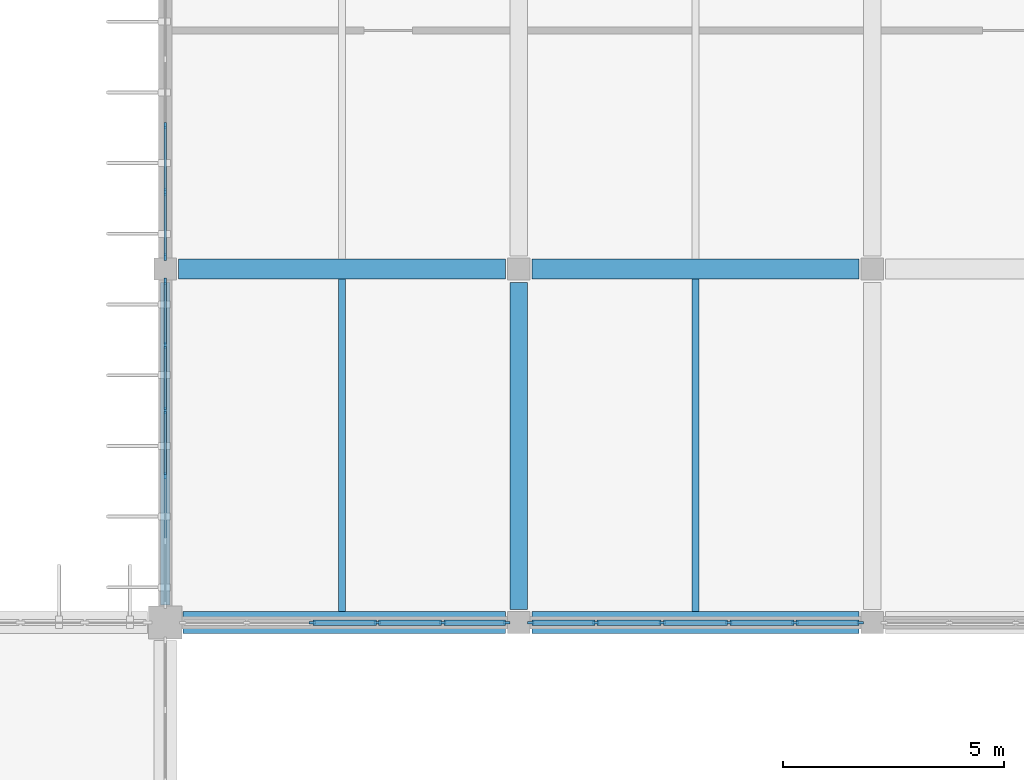
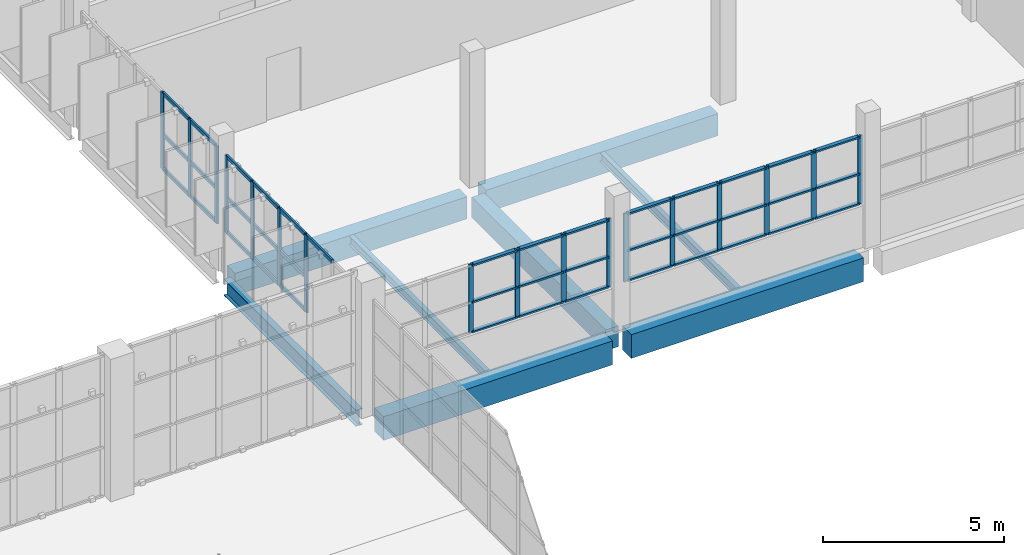
# One storey, part 32 of 93: 57 members, 8 beams, 4 elements without a shape of their own.
"""IFC4 building model written with IfcOpenShell, lengths in metres."""

from ifc_helpers import new_model, si_unit, direction, frame, origin, origin_2d, place, context, subcontext, project, spatial, rectangle, i_section, extrude, material, layer, layer_set, material_profile, profile_set, type_object, element, aggregate, save


model = new_model("IFC4")

# Units and contexts
model_context = context("Model", 3, precision=1e-05, world=origin(), true_north=direction((0.0, 1.0)))
body_context = subcontext(model_context, "Body", "Model", "MODEL_VIEW")
ifc_project = project(units=[si_unit("LENGTHUNIT", "METRE"), si_unit("AREAUNIT", "SQUARE_METRE"), si_unit("VOLUMEUNIT", "CUBIC_METRE"), si_unit("PLANEANGLEUNIT", "RADIAN"), si_unit("MASSUNIT", "GRAM", prefix="KILO")], contexts=[model_context])

# Site, building, storey
site_placement = place(None, origin())
site = spatial("IfcSite", under=ifc_project, at=site_placement, CompositionType="ELEMENT")
building_placement = place(site_placement, origin())
building = spatial("IfcBuilding", under=site, at=building_placement, Name="Drelvana Railside Aquatics Centre", CompositionType="ELEMENT")
storey_placement = place(building_placement, frame((0.0, 0.0, 5.39990234375)))
storey = spatial("IfcBuildingStorey", under=building, at=storey_placement, Name="L01", CompositionType="ELEMENT", Elevation=5.39990234375)

# Curtain wall, members
ifc_material_1 = material(Name="Bronze-anodised aluminium curtain wall", Category="aluminium")
ifc_layer = layer(ifc_material_1, 0.1650390625, Name="Bronze-anodised aluminium curtain wall")
ifc_layer_set = layer_set([ifc_layer], Name="Bronze-anodised aluminium curtain wall")
curtain_wall_type = type_object("IfcCurtainWallType", Name="CW-Z5-COURT", PredefinedType="NOTDEFINED", material=ifc_layer_set)
curtain_wall_1_placement = place(storey_placement, origin())
curtain_wall_1 = element("IfcCurtainWall", 1, at=curtain_wall_1_placement, inside=storey, type_object=curtain_wall_type, Name="Curtain wall CW-05-116", PredefinedType="NOTDEFINED")
ifc_material_2 = material(Name="Bronze-anodised aluminium 6063-T6", Category="aluminium")
ifc_material_profile_1 = material_profile(ifc_material_2, rectangle(XDim=0.06005859375, YDim=0.14990234375, at=origin_2d()), Name="ALU-M 60x150")
ifc_profile_set_1 = profile_set([ifc_material_profile_1], Name="Bronze-anodised aluminium 6063-T6")
member_type_1 = type_object("IfcMemberType", Name="CW-Z5-COURT-MUL", PredefinedType="MULLION", material=ifc_profile_set_1)
member_1_placement = place(storey_placement, frame((99.32373046875, 84.0, 1.39404296875), z_axis=(0.0, 0.0, 1.0), x_axis=(0.0, 1.0, 0.0)))
member_1 = element("IfcMember", 2, at=member_1_placement, type_object=member_type_1, Name="CW-05 mullion 3", PredefinedType="MULLION", context=body_context, shape_type="SweptSolid", body=[
    extrude(rectangle(XDim=0.06005859375, YDim=0.14990234375, at=origin_2d()), origin(), (0.0, 0.0, 1.0), 2.30615234375),
])
member_2_placement = place(storey_placement, frame((100.80126953125, 84.0, 1.39404296875), z_axis=(0.0, 0.0, 1.0), x_axis=(0.0, 1.0, 0.0)))
member_2 = element("IfcMember", 3, at=member_2_placement, type_object=member_type_1, Name="CW-05 mullion 4", PredefinedType="MULLION", context=body_context, shape_type="SweptSolid", body=[
    extrude(rectangle(XDim=0.06005859375, YDim=0.14990234375, at=origin_2d()), origin(), (0.0, 0.0, 1.0), 2.30615234375),
])
member_3_placement = place(storey_placement, frame((102.278564453125, 84.0, 1.39404296875), z_axis=(0.0, 0.0, 1.0), x_axis=(0.0, 1.0, 0.0)))
member_3 = element("IfcMember", 4, at=member_3_placement, type_object=member_type_1, Name="CW-05 mullion 5", PredefinedType="MULLION", context=body_context, shape_type="SweptSolid", body=[
    extrude(rectangle(XDim=0.06005859375, YDim=0.14990234375, at=origin_2d()), origin(), (0.0, 0.0, 1.0), 2.30615234375),
])
member_4_placement = place(storey_placement, frame((103.72607421875, 84.0, 1.39404296875), z_axis=(0.0, 0.0, 1.0), x_axis=(0.0, 1.0, 0.0)))
member_4 = element("IfcMember", 5, at=member_4_placement, type_object=member_type_1, Name="CW-05 mullion 6", PredefinedType="MULLION", context=body_context, shape_type="SweptSolid", body=[
    extrude(rectangle(XDim=0.06005859375, YDim=0.14990234375, at=origin_2d()), origin(), (0.0, 0.0, 1.0), 2.30615234375),
])

curtain_wall_2_placement = place(storey_placement, origin())
curtain_wall_2 = element("IfcCurtainWall", 6, at=curtain_wall_2_placement, inside=storey, type_object=curtain_wall_type, Name="Curtain wall CW-05-118", PredefinedType="NOTDEFINED")
member_5_placement = place(storey_placement, frame((104.27392578125, 84.0, 1.39404296875), z_axis=(0.0, 0.0, 1.0), x_axis=(0.0, 1.0, 0.0)))
member_5 = element("IfcMember", 7, at=member_5_placement, type_object=member_type_1, Name="CW-05 mullion 1", PredefinedType="MULLION", context=body_context, shape_type="SweptSolid", body=[
    extrude(rectangle(XDim=0.06005859375, YDim=0.14990234375, at=origin_2d()), origin(), (0.0, 0.0, 1.0), 2.30615234375),
])
member_6_placement = place(storey_placement, frame((105.746337890625, 84.0, 1.39404296875), z_axis=(0.0, 0.0, 1.0), x_axis=(0.0, 1.0, 0.0)))
member_6 = element("IfcMember", 8, at=member_6_placement, type_object=member_type_1, Name="CW-05 mullion 2", PredefinedType="MULLION", context=body_context, shape_type="SweptSolid", body=[
    extrude(rectangle(XDim=0.06005859375, YDim=0.14990234375, at=origin_2d()), origin(), (0.0, 0.0, 1.0), 2.30615234375),
])
member_7_placement = place(storey_placement, frame((107.248779296875, 84.0, 1.39404296875), z_axis=(0.0, 0.0, 1.0), x_axis=(0.0, 1.0, 0.0)))
member_7 = element("IfcMember", 9, at=member_7_placement, type_object=member_type_1, Name="CW-05 mullion 3", PredefinedType="MULLION", context=body_context, shape_type="SweptSolid", body=[
    extrude(rectangle(XDim=0.06005859375, YDim=0.14990234375, at=origin_2d()), origin(), (0.0, 0.0, 1.0), 2.30615234375),
])
member_8_placement = place(storey_placement, frame((108.751220703125, 84.0, 1.39404296875), z_axis=(0.0, 0.0, 1.0), x_axis=(0.0, 1.0, 0.0)))
member_8 = element("IfcMember", 10, at=member_8_placement, type_object=member_type_1, Name="CW-05 mullion 4", PredefinedType="MULLION", context=body_context, shape_type="SweptSolid", body=[
    extrude(rectangle(XDim=0.06005859375, YDim=0.14990234375, at=origin_2d()), origin(), (0.0, 0.0, 1.0), 2.30615234375),
])
member_9_placement = place(storey_placement, frame((110.253662109375, 84.0, 1.39404296875), z_axis=(0.0, 0.0, 1.0), x_axis=(0.0, 1.0, 0.0)))
member_9 = element("IfcMember", 11, at=member_9_placement, type_object=member_type_1, Name="CW-05 mullion 5", PredefinedType="MULLION", context=body_context, shape_type="SweptSolid", body=[
    extrude(rectangle(XDim=0.06005859375, YDim=0.14990234375, at=origin_2d()), origin(), (0.0, 0.0, 1.0), 2.30615234375),
])
member_10_placement = place(storey_placement, frame((111.72607421875, 84.0, 1.39404296875), z_axis=(0.0, 0.0, 1.0), x_axis=(0.0, 1.0, 0.0)))
member_10 = element("IfcMember", 12, at=member_10_placement, type_object=member_type_1, Name="CW-05 mullion 6", PredefinedType="MULLION", context=body_context, shape_type="SweptSolid", body=[
    extrude(rectangle(XDim=0.06005859375, YDim=0.14990234375, at=origin_2d()), origin(), (0.0, 0.0, 1.0), 2.30615234375),
])

curtain_wall_3_placement = place(storey_placement, origin())
curtain_wall_3 = element("IfcCurtainWall", 13, at=curtain_wall_3_placement, inside=storey, type_object=curtain_wall_type, Name="Curtain wall CW-05-128", PredefinedType="NOTDEFINED")
member_11_placement = place(storey_placement, frame((96.0, 87.32373046875, 1.244140625), z_axis=(0.0, 0.0, 1.0), x_axis=(-1.0, 0.0, 0.0)))
member_11 = element("IfcMember", 14, at=member_11_placement, type_object=member_type_1, Name="CW-05 mullion 3", PredefinedType="MULLION", context=body_context, shape_type="SweptSolid", body=[
    extrude(rectangle(XDim=0.06005859375, YDim=0.14990234375, at=origin_2d()), origin(), (0.0, 0.0, 1.0), 2.60595703125),
])
member_12_placement = place(storey_placement, frame((96.0, 88.80126953125, 1.244140625), z_axis=(0.0, 0.0, 1.0), x_axis=(-1.0, 0.0, 0.0)))
member_12 = element("IfcMember", 15, at=member_12_placement, type_object=member_type_1, Name="CW-05 mullion 4", PredefinedType="MULLION", context=body_context, shape_type="SweptSolid", body=[
    extrude(rectangle(XDim=0.06005859375, YDim=0.14990234375, at=origin_2d()), origin(), (0.0, 0.0, 1.0), 2.60595703125),
])
member_13_placement = place(storey_placement, frame((96.0, 90.278564453125, 1.244140625), z_axis=(0.0, 0.0, 1.0), x_axis=(-1.0, 0.0, 0.0)))
member_13 = element("IfcMember", 16, at=member_13_placement, type_object=member_type_1, Name="CW-05 mullion 5", PredefinedType="MULLION", context=body_context, shape_type="SweptSolid", body=[
    extrude(rectangle(XDim=0.06005859375, YDim=0.14990234375, at=origin_2d()), origin(), (0.0, 0.0, 1.0), 2.60595703125),
])
member_14_placement = place(storey_placement, frame((96.0, 91.72607421875, 1.244140625), z_axis=(0.0, 0.0, 1.0), x_axis=(-1.0, 0.0, 0.0)))
member_14 = element("IfcMember", 17, at=member_14_placement, type_object=member_type_1, Name="CW-05 mullion 6", PredefinedType="MULLION", context=body_context, shape_type="SweptSolid", body=[
    extrude(rectangle(XDim=0.06005859375, YDim=0.14990234375, at=origin_2d()), origin(), (0.0, 0.0, 1.0), 2.60595703125),
])

curtain_wall_4_placement = place(storey_placement, origin())
curtain_wall_4 = element("IfcCurtainWall", 18, at=curtain_wall_4_placement, inside=storey, type_object=curtain_wall_type, Name="Curtain wall CW-05-130", PredefinedType="NOTDEFINED")
member_15_placement = place(storey_placement, frame((96.0, 92.27392578125, 1.244140625), z_axis=(0.0, 0.0, 1.0), x_axis=(-1.0, 0.0, 0.0)))
member_15 = element("IfcMember", 19, at=member_15_placement, type_object=member_type_1, Name="CW-05 mullion 1", PredefinedType="MULLION", context=body_context, shape_type="SweptSolid", body=[
    extrude(rectangle(XDim=0.06005859375, YDim=0.14990234375, at=origin_2d()), origin(), (0.0, 0.0, 1.0), 2.60595703125),
])
member_16_placement = place(storey_placement, frame((96.0, 93.746337890625, 1.244140625), z_axis=(0.0, 0.0, 1.0), x_axis=(-1.0, 0.0, 0.0)))
member_16 = element("IfcMember", 20, at=member_16_placement, type_object=member_type_1, Name="CW-05 mullion 2", PredefinedType="MULLION", context=body_context, shape_type="SweptSolid", body=[
    extrude(rectangle(XDim=0.06005859375, YDim=0.14990234375, at=origin_2d()), origin(), (0.0, 0.0, 1.0), 2.60595703125),
])
member_17_placement = place(storey_placement, frame((96.0, 95.248779296875, 1.244140625), z_axis=(0.0, 0.0, 1.0), x_axis=(-1.0, 0.0, 0.0)))
member_17 = element("IfcMember", 21, at=member_17_placement, type_object=member_type_1, Name="CW-05 mullion 3", PredefinedType="MULLION", context=body_context, shape_type="SweptSolid", body=[
    extrude(rectangle(XDim=0.06005859375, YDim=0.14990234375, at=origin_2d()), origin(), (0.0, 0.0, 1.0), 2.60595703125),
])

# Member
ifc_material_profile_2 = material_profile(ifc_material_2, rectangle(XDim=0.1201171875, YDim=0.06005859375, at=origin_2d()), Name="ALU-T 60x120")
ifc_profile_set_2 = profile_set([ifc_material_profile_2], Name="Bronze-anodised aluminium 6063-T6")
member_type_2 = type_object("IfcMemberType", Name="CW-Z5-COURT-TRN", PredefinedType="USERDEFINED", material=ifc_profile_set_2)
member_18_placement = place(storey_placement, frame((99.348876953125, 84.0, 1.424072265625), z_axis=(1.0, 0.0, 0.0), x_axis=(0.0, 1.0, 0.0)))
member_18 = element("IfcMember", 22, at=member_18_placement, type_object=member_type_2, Name="CW-05 transom 3.1", ObjectType="TRANSOM", PredefinedType="USERDEFINED", context=body_context, shape_type="SweptSolid", body=[
    extrude(rectangle(XDim=0.1201171875, YDim=0.06005859375, at=origin_2d()), origin(), (0.0, 0.0, 1.0), 1.42724609375),
])

member_19_placement = place(storey_placement, frame((99.348876953125, 84.0, 2.43212890625), z_axis=(1.0, 0.0, 0.0), x_axis=(0.0, 1.0, 0.0)))
member_19 = element("IfcMember", 23, at=member_19_placement, type_object=member_type_2, Name="CW-05 transom 3.2", ObjectType="TRANSOM", PredefinedType="USERDEFINED", context=body_context, shape_type="SweptSolid", body=[
    extrude(rectangle(XDim=0.1201171875, YDim=0.06005859375, at=origin_2d()), origin(), (0.0, 0.0, 1.0), 1.42724609375),
])

member_20_placement = place(storey_placement, frame((99.348876953125, 84.0, 3.670166015625), z_axis=(1.0, 0.0, 0.0), x_axis=(0.0, 1.0, 0.0)))
member_20 = element("IfcMember", 24, at=member_20_placement, type_object=member_type_2, Name="CW-05 transom 3.3", ObjectType="TRANSOM", PredefinedType="USERDEFINED", context=body_context, shape_type="SweptSolid", body=[
    extrude(rectangle(XDim=0.1201171875, YDim=0.06005859375, at=origin_2d()), origin(), (0.0, 0.0, 1.0), 1.42724609375),
])

member_21_placement = place(storey_placement, frame((100.826171875, 84.0, 1.424072265625), z_axis=(1.0, 0.0, 0.0), x_axis=(0.0, 1.0, 0.0)))
member_21 = element("IfcMember", 25, at=member_21_placement, type_object=member_type_2, Name="CW-05 transom 4.1", ObjectType="TRANSOM", PredefinedType="USERDEFINED", context=body_context, shape_type="SweptSolid", body=[
    extrude(rectangle(XDim=0.1201171875, YDim=0.06005859375, at=origin_2d()), origin(), (0.0, 0.0, 1.0), 1.427490234375),
])

member_22_placement = place(storey_placement, frame((100.826171875, 84.0, 2.43212890625), z_axis=(1.0, 0.0, 0.0), x_axis=(0.0, 1.0, 0.0)))
member_22 = element("IfcMember", 26, at=member_22_placement, type_object=member_type_2, Name="CW-05 transom 4.2", ObjectType="TRANSOM", PredefinedType="USERDEFINED", context=body_context, shape_type="SweptSolid", body=[
    extrude(rectangle(XDim=0.1201171875, YDim=0.06005859375, at=origin_2d()), origin(), (0.0, 0.0, 1.0), 1.427490234375),
])

member_23_placement = place(storey_placement, frame((100.826171875, 84.0, 3.670166015625), z_axis=(1.0, 0.0, 0.0), x_axis=(0.0, 1.0, 0.0)))
member_23 = element("IfcMember", 27, at=member_23_placement, type_object=member_type_2, Name="CW-05 transom 4.3", ObjectType="TRANSOM", PredefinedType="USERDEFINED", context=body_context, shape_type="SweptSolid", body=[
    extrude(rectangle(XDim=0.1201171875, YDim=0.06005859375, at=origin_2d()), origin(), (0.0, 0.0, 1.0), 1.427490234375),
])

member_24_placement = place(storey_placement, frame((102.3037109375, 84.0, 1.424072265625), z_axis=(1.0, 0.0, 0.0), x_axis=(0.0, 1.0, 0.0)))
member_24 = element("IfcMember", 28, at=member_24_placement, type_object=member_type_2, Name="CW-05 transom 5.1", ObjectType="TRANSOM", PredefinedType="USERDEFINED", context=body_context, shape_type="SweptSolid", body=[
    extrude(rectangle(XDim=0.1201171875, YDim=0.06005859375, at=origin_2d()), origin(), (0.0, 0.0, 1.0), 1.397216796875),
])

member_25_placement = place(storey_placement, frame((102.3037109375, 84.0, 2.43212890625), z_axis=(1.0, 0.0, 0.0), x_axis=(0.0, 1.0, 0.0)))
member_25 = element("IfcMember", 29, at=member_25_placement, type_object=member_type_2, Name="CW-05 transom 5.2", ObjectType="TRANSOM", PredefinedType="USERDEFINED", context=body_context, shape_type="SweptSolid", body=[
    extrude(rectangle(XDim=0.1201171875, YDim=0.06005859375, at=origin_2d()), origin(), (0.0, 0.0, 1.0), 1.397216796875),
])

member_26_placement = place(storey_placement, frame((102.3037109375, 84.0, 3.670166015625), z_axis=(1.0, 0.0, 0.0), x_axis=(0.0, 1.0, 0.0)))
member_26 = element("IfcMember", 30, at=member_26_placement, type_object=member_type_2, Name="CW-05 transom 5.3", ObjectType="TRANSOM", PredefinedType="USERDEFINED", context=body_context, shape_type="SweptSolid", body=[
    extrude(rectangle(XDim=0.1201171875, YDim=0.06005859375, at=origin_2d()), origin(), (0.0, 0.0, 1.0), 1.397216796875),
])

aggregate(curtain_wall_1, [member_1, member_2, member_3, member_4, member_18, member_19, member_20, member_21, member_22, member_23, member_24, member_25, member_26])

member_27_placement = place(storey_placement, frame((104.299072265625, 84.0, 1.424072265625), z_axis=(1.0, 0.0, 0.0), x_axis=(0.0, 1.0, 0.0)))
member_27 = element("IfcMember", 31, at=member_27_placement, type_object=member_type_2, Name="CW-05 transom 1.1", ObjectType="TRANSOM", PredefinedType="USERDEFINED", context=body_context, shape_type="SweptSolid", body=[
    extrude(rectangle(XDim=0.1201171875, YDim=0.06005859375, at=origin_2d()), origin(), (0.0, 0.0, 1.0), 1.42236328125),
])

member_28_placement = place(storey_placement, frame((104.299072265625, 84.0, 2.43212890625), z_axis=(1.0, 0.0, 0.0), x_axis=(0.0, 1.0, 0.0)))
member_28 = element("IfcMember", 32, at=member_28_placement, type_object=member_type_2, Name="CW-05 transom 1.2", ObjectType="TRANSOM", PredefinedType="USERDEFINED", context=body_context, shape_type="SweptSolid", body=[
    extrude(rectangle(XDim=0.1201171875, YDim=0.06005859375, at=origin_2d()), origin(), (0.0, 0.0, 1.0), 1.42236328125),
])

member_29_placement = place(storey_placement, frame((104.299072265625, 84.0, 3.670166015625), z_axis=(1.0, 0.0, 0.0), x_axis=(0.0, 1.0, 0.0)))
member_29 = element("IfcMember", 33, at=member_29_placement, type_object=member_type_2, Name="CW-05 transom 1.3", ObjectType="TRANSOM", PredefinedType="USERDEFINED", context=body_context, shape_type="SweptSolid", body=[
    extrude(rectangle(XDim=0.1201171875, YDim=0.06005859375, at=origin_2d()), origin(), (0.0, 0.0, 1.0), 1.42236328125),
])

member_30_placement = place(storey_placement, frame((105.771484375, 84.0, 1.424072265625), z_axis=(1.0, 0.0, 0.0), x_axis=(0.0, 1.0, 0.0)))
member_30 = element("IfcMember", 34, at=member_30_placement, type_object=member_type_2, Name="CW-05 transom 2.1", ObjectType="TRANSOM", PredefinedType="USERDEFINED", context=body_context, shape_type="SweptSolid", body=[
    extrude(rectangle(XDim=0.1201171875, YDim=0.06005859375, at=origin_2d()), origin(), (0.0, 0.0, 1.0), 1.452392578125),
])

member_31_placement = place(storey_placement, frame((105.771484375, 84.0, 2.43212890625), z_axis=(1.0, 0.0, 0.0), x_axis=(0.0, 1.0, 0.0)))
member_31 = element("IfcMember", 35, at=member_31_placement, type_object=member_type_2, Name="CW-05 transom 2.2", ObjectType="TRANSOM", PredefinedType="USERDEFINED", context=body_context, shape_type="SweptSolid", body=[
    extrude(rectangle(XDim=0.1201171875, YDim=0.06005859375, at=origin_2d()), origin(), (0.0, 0.0, 1.0), 1.452392578125),
])

member_32_placement = place(storey_placement, frame((105.771484375, 84.0, 3.670166015625), z_axis=(1.0, 0.0, 0.0), x_axis=(0.0, 1.0, 0.0)))
member_32 = element("IfcMember", 36, at=member_32_placement, type_object=member_type_2, Name="CW-05 transom 2.3", ObjectType="TRANSOM", PredefinedType="USERDEFINED", context=body_context, shape_type="SweptSolid", body=[
    extrude(rectangle(XDim=0.1201171875, YDim=0.06005859375, at=origin_2d()), origin(), (0.0, 0.0, 1.0), 1.452392578125),
])

member_33_placement = place(storey_placement, frame((107.273681640625, 84.0, 1.424072265625), z_axis=(1.0, 0.0, 0.0), x_axis=(0.0, 1.0, 0.0)))
member_33 = element("IfcMember", 37, at=member_33_placement, type_object=member_type_2, Name="CW-05 transom 3.1", ObjectType="TRANSOM", PredefinedType="USERDEFINED", context=body_context, shape_type="SweptSolid", body=[
    extrude(rectangle(XDim=0.1201171875, YDim=0.06005859375, at=origin_2d()), origin(), (0.0, 0.0, 1.0), 1.45263671875),
])

member_34_placement = place(storey_placement, frame((107.273681640625, 84.0, 2.43212890625), z_axis=(1.0, 0.0, 0.0), x_axis=(0.0, 1.0, 0.0)))
member_34 = element("IfcMember", 38, at=member_34_placement, type_object=member_type_2, Name="CW-05 transom 3.2", ObjectType="TRANSOM", PredefinedType="USERDEFINED", context=body_context, shape_type="SweptSolid", body=[
    extrude(rectangle(XDim=0.1201171875, YDim=0.06005859375, at=origin_2d()), origin(), (0.0, 0.0, 1.0), 1.45263671875),
])

member_35_placement = place(storey_placement, frame((107.273681640625, 84.0, 3.670166015625), z_axis=(1.0, 0.0, 0.0), x_axis=(0.0, 1.0, 0.0)))
member_35 = element("IfcMember", 39, at=member_35_placement, type_object=member_type_2, Name="CW-05 transom 3.3", ObjectType="TRANSOM", PredefinedType="USERDEFINED", context=body_context, shape_type="SweptSolid", body=[
    extrude(rectangle(XDim=0.1201171875, YDim=0.06005859375, at=origin_2d()), origin(), (0.0, 0.0, 1.0), 1.45263671875),
])

member_36_placement = place(storey_placement, frame((108.776123046875, 84.0, 1.424072265625), z_axis=(1.0, 0.0, 0.0), x_axis=(0.0, 1.0, 0.0)))
member_36 = element("IfcMember", 40, at=member_36_placement, type_object=member_type_2, Name="CW-05 transom 4.1", ObjectType="TRANSOM", PredefinedType="USERDEFINED", context=body_context, shape_type="SweptSolid", body=[
    extrude(rectangle(XDim=0.1201171875, YDim=0.06005859375, at=origin_2d()), origin(), (0.0, 0.0, 1.0), 1.452392578125),
])

member_37_placement = place(storey_placement, frame((108.776123046875, 84.0, 2.43212890625), z_axis=(1.0, 0.0, 0.0), x_axis=(0.0, 1.0, 0.0)))
member_37 = element("IfcMember", 41, at=member_37_placement, type_object=member_type_2, Name="CW-05 transom 4.2", ObjectType="TRANSOM", PredefinedType="USERDEFINED", context=body_context, shape_type="SweptSolid", body=[
    extrude(rectangle(XDim=0.1201171875, YDim=0.06005859375, at=origin_2d()), origin(), (0.0, 0.0, 1.0), 1.452392578125),
])

member_38_placement = place(storey_placement, frame((108.776123046875, 84.0, 3.670166015625), z_axis=(1.0, 0.0, 0.0), x_axis=(0.0, 1.0, 0.0)))
member_38 = element("IfcMember", 42, at=member_38_placement, type_object=member_type_2, Name="CW-05 transom 4.3", ObjectType="TRANSOM", PredefinedType="USERDEFINED", context=body_context, shape_type="SweptSolid", body=[
    extrude(rectangle(XDim=0.1201171875, YDim=0.06005859375, at=origin_2d()), origin(), (0.0, 0.0, 1.0), 1.452392578125),
])

member_39_placement = place(storey_placement, frame((110.278564453125, 84.0, 1.424072265625), z_axis=(1.0, 0.0, 0.0), x_axis=(0.0, 1.0, 0.0)))
member_39 = element("IfcMember", 43, at=member_39_placement, type_object=member_type_2, Name="CW-05 transom 5.1", ObjectType="TRANSOM", PredefinedType="USERDEFINED", context=body_context, shape_type="SweptSolid", body=[
    extrude(rectangle(XDim=0.1201171875, YDim=0.06005859375, at=origin_2d()), origin(), (0.0, 0.0, 1.0), 1.42236328125),
])

member_40_placement = place(storey_placement, frame((110.278564453125, 84.0, 2.43212890625), z_axis=(1.0, 0.0, 0.0), x_axis=(0.0, 1.0, 0.0)))
member_40 = element("IfcMember", 44, at=member_40_placement, type_object=member_type_2, Name="CW-05 transom 5.2", ObjectType="TRANSOM", PredefinedType="USERDEFINED", context=body_context, shape_type="SweptSolid", body=[
    extrude(rectangle(XDim=0.1201171875, YDim=0.06005859375, at=origin_2d()), origin(), (0.0, 0.0, 1.0), 1.42236328125),
])

member_41_placement = place(storey_placement, frame((110.278564453125, 84.0, 3.670166015625), z_axis=(1.0, 0.0, 0.0), x_axis=(0.0, 1.0, 0.0)))
member_41 = element("IfcMember", 45, at=member_41_placement, type_object=member_type_2, Name="CW-05 transom 5.3", ObjectType="TRANSOM", PredefinedType="USERDEFINED", context=body_context, shape_type="SweptSolid", body=[
    extrude(rectangle(XDim=0.1201171875, YDim=0.06005859375, at=origin_2d()), origin(), (0.0, 0.0, 1.0), 1.42236328125),
])

aggregate(curtain_wall_2, [member_5, member_6, member_7, member_8, member_9, member_10, member_27, member_28, member_29, member_30, member_31, member_32, member_33, member_34, member_35, member_36, member_37, member_38, member_39, member_40, member_41])

member_42_placement = place(storey_placement, frame((96.0, 85.871337890625, 3.820068359375), z_axis=(0.0, 1.0, 0.0), x_axis=(0.0, 0.0, 1.0)))
member_42 = element("IfcMember", 46, at=member_42_placement, type_object=member_type_2, Name="CW-05 transom 2.3", ObjectType="TRANSOM", PredefinedType="USERDEFINED", context=body_context, shape_type="SweptSolid", body=[
    extrude(rectangle(XDim=0.1201171875, YDim=0.06005859375, at=origin_2d()), origin(), (0.0, 0.0, 1.0), 1.427490234375),
])

member_43_placement = place(storey_placement, frame((96.0, 87.348876953125, 1.274169921875), z_axis=(0.0, 1.0, 0.0), x_axis=(0.0, 0.0, 1.0)))
member_43 = element("IfcMember", 47, at=member_43_placement, type_object=member_type_2, Name="CW-05 transom 3.1", ObjectType="TRANSOM", PredefinedType="USERDEFINED", context=body_context, shape_type="SweptSolid", body=[
    extrude(rectangle(XDim=0.1201171875, YDim=0.06005859375, at=origin_2d()), origin(), (0.0, 0.0, 1.0), 1.42724609375),
])

member_44_placement = place(storey_placement, frame((96.0, 87.348876953125, 2.4169921875), z_axis=(0.0, 1.0, 0.0), x_axis=(0.0, 0.0, 1.0)))
member_44 = element("IfcMember", 48, at=member_44_placement, type_object=member_type_2, Name="CW-05 transom 3.2", ObjectType="TRANSOM", PredefinedType="USERDEFINED", context=body_context, shape_type="SweptSolid", body=[
    extrude(rectangle(XDim=0.1201171875, YDim=0.06005859375, at=origin_2d()), origin(), (0.0, 0.0, 1.0), 1.42724609375),
])

member_45_placement = place(storey_placement, frame((96.0, 87.348876953125, 3.820068359375), z_axis=(0.0, 1.0, 0.0), x_axis=(0.0, 0.0, 1.0)))
member_45 = element("IfcMember", 49, at=member_45_placement, type_object=member_type_2, Name="CW-05 transom 3.3", ObjectType="TRANSOM", PredefinedType="USERDEFINED", context=body_context, shape_type="SweptSolid", body=[
    extrude(rectangle(XDim=0.1201171875, YDim=0.06005859375, at=origin_2d()), origin(), (0.0, 0.0, 1.0), 1.42724609375),
])

member_46_placement = place(storey_placement, frame((96.0, 88.826171875, 1.274169921875), z_axis=(0.0, 1.0, 0.0), x_axis=(0.0, 0.0, 1.0)))
member_46 = element("IfcMember", 50, at=member_46_placement, type_object=member_type_2, Name="CW-05 transom 4.1", ObjectType="TRANSOM", PredefinedType="USERDEFINED", context=body_context, shape_type="SweptSolid", body=[
    extrude(rectangle(XDim=0.1201171875, YDim=0.06005859375, at=origin_2d()), origin(), (0.0, 0.0, 1.0), 1.427490234375),
])

member_47_placement = place(storey_placement, frame((96.0, 88.826171875, 2.4169921875), z_axis=(0.0, 1.0, 0.0), x_axis=(0.0, 0.0, 1.0)))
member_47 = element("IfcMember", 51, at=member_47_placement, type_object=member_type_2, Name="CW-05 transom 4.2", ObjectType="TRANSOM", PredefinedType="USERDEFINED", context=body_context, shape_type="SweptSolid", body=[
    extrude(rectangle(XDim=0.1201171875, YDim=0.06005859375, at=origin_2d()), origin(), (0.0, 0.0, 1.0), 1.427490234375),
])

member_48_placement = place(storey_placement, frame((96.0, 88.826171875, 3.820068359375), z_axis=(0.0, 1.0, 0.0), x_axis=(0.0, 0.0, 1.0)))
member_48 = element("IfcMember", 52, at=member_48_placement, type_object=member_type_2, Name="CW-05 transom 4.3", ObjectType="TRANSOM", PredefinedType="USERDEFINED", context=body_context, shape_type="SweptSolid", body=[
    extrude(rectangle(XDim=0.1201171875, YDim=0.06005859375, at=origin_2d()), origin(), (0.0, 0.0, 1.0), 1.427490234375),
])

member_49_placement = place(storey_placement, frame((96.0, 90.3037109375, 1.274169921875), z_axis=(0.0, 1.0, 0.0), x_axis=(0.0, 0.0, 1.0)))
member_49 = element("IfcMember", 53, at=member_49_placement, type_object=member_type_2, Name="CW-05 transom 5.1", ObjectType="TRANSOM", PredefinedType="USERDEFINED", context=body_context, shape_type="SweptSolid", body=[
    extrude(rectangle(XDim=0.1201171875, YDim=0.06005859375, at=origin_2d()), origin(), (0.0, 0.0, 1.0), 1.397216796875),
])

member_50_placement = place(storey_placement, frame((96.0, 90.3037109375, 2.4169921875), z_axis=(0.0, 1.0, 0.0), x_axis=(0.0, 0.0, 1.0)))
member_50 = element("IfcMember", 54, at=member_50_placement, type_object=member_type_2, Name="CW-05 transom 5.2", ObjectType="TRANSOM", PredefinedType="USERDEFINED", context=body_context, shape_type="SweptSolid", body=[
    extrude(rectangle(XDim=0.1201171875, YDim=0.06005859375, at=origin_2d()), origin(), (0.0, 0.0, 1.0), 1.397216796875),
])

member_51_placement = place(storey_placement, frame((96.0, 90.3037109375, 3.820068359375), z_axis=(0.0, 1.0, 0.0), x_axis=(0.0, 0.0, 1.0)))
member_51 = element("IfcMember", 55, at=member_51_placement, type_object=member_type_2, Name="CW-05 transom 5.3", ObjectType="TRANSOM", PredefinedType="USERDEFINED", context=body_context, shape_type="SweptSolid", body=[
    extrude(rectangle(XDim=0.1201171875, YDim=0.06005859375, at=origin_2d()), origin(), (0.0, 0.0, 1.0), 1.397216796875),
])

aggregate(curtain_wall_3, [member_11, member_12, member_13, member_14, member_42, member_43, member_44, member_45, member_46, member_47, member_48, member_49, member_50, member_51])

member_52_placement = place(storey_placement, frame((96.0, 92.299072265625, 1.274169921875), z_axis=(0.0, 1.0, 0.0), x_axis=(0.0, 0.0, 1.0)))
member_52 = element("IfcMember", 56, at=member_52_placement, type_object=member_type_2, Name="CW-05 transom 1.1", ObjectType="TRANSOM", PredefinedType="USERDEFINED", context=body_context, shape_type="SweptSolid", body=[
    extrude(rectangle(XDim=0.1201171875, YDim=0.06005859375, at=origin_2d()), origin(), (0.0, 0.0, 1.0), 1.42236328125),
])

member_53_placement = place(storey_placement, frame((96.0, 92.299072265625, 2.4169921875), z_axis=(0.0, 1.0, 0.0), x_axis=(0.0, 0.0, 1.0)))
member_53 = element("IfcMember", 57, at=member_53_placement, type_object=member_type_2, Name="CW-05 transom 1.2", ObjectType="TRANSOM", PredefinedType="USERDEFINED", context=body_context, shape_type="SweptSolid", body=[
    extrude(rectangle(XDim=0.1201171875, YDim=0.06005859375, at=origin_2d()), origin(), (0.0, 0.0, 1.0), 1.42236328125),
])

member_54_placement = place(storey_placement, frame((96.0, 92.299072265625, 3.820068359375), z_axis=(0.0, 1.0, 0.0), x_axis=(0.0, 0.0, 1.0)))
member_54 = element("IfcMember", 58, at=member_54_placement, type_object=member_type_2, Name="CW-05 transom 1.3", ObjectType="TRANSOM", PredefinedType="USERDEFINED", context=body_context, shape_type="SweptSolid", body=[
    extrude(rectangle(XDim=0.1201171875, YDim=0.06005859375, at=origin_2d()), origin(), (0.0, 0.0, 1.0), 1.42236328125),
])

member_55_placement = place(storey_placement, frame((96.0, 93.771484375, 1.274169921875), z_axis=(0.0, 1.0, 0.0), x_axis=(0.0, 0.0, 1.0)))
member_55 = element("IfcMember", 59, at=member_55_placement, type_object=member_type_2, Name="CW-05 transom 2.1", ObjectType="TRANSOM", PredefinedType="USERDEFINED", context=body_context, shape_type="SweptSolid", body=[
    extrude(rectangle(XDim=0.1201171875, YDim=0.06005859375, at=origin_2d()), origin(), (0.0, 0.0, 1.0), 1.452392578125),
])

member_56_placement = place(storey_placement, frame((96.0, 93.771484375, 2.4169921875), z_axis=(0.0, 1.0, 0.0), x_axis=(0.0, 0.0, 1.0)))
member_56 = element("IfcMember", 60, at=member_56_placement, type_object=member_type_2, Name="CW-05 transom 2.2", ObjectType="TRANSOM", PredefinedType="USERDEFINED", context=body_context, shape_type="SweptSolid", body=[
    extrude(rectangle(XDim=0.1201171875, YDim=0.06005859375, at=origin_2d()), origin(), (0.0, 0.0, 1.0), 1.452392578125),
])

member_57_placement = place(storey_placement, frame((96.0, 93.771484375, 3.820068359375), z_axis=(0.0, 1.0, 0.0), x_axis=(0.0, 0.0, 1.0)))
member_57 = element("IfcMember", 61, at=member_57_placement, type_object=member_type_2, Name="CW-05 transom 2.3", ObjectType="TRANSOM", PredefinedType="USERDEFINED", context=body_context, shape_type="SweptSolid", body=[
    extrude(rectangle(XDim=0.1201171875, YDim=0.06005859375, at=origin_2d()), origin(), (0.0, 0.0, 1.0), 1.452392578125),
])

aggregate(curtain_wall_4, [member_15, member_16, member_17, member_52, member_53, member_54, member_55, member_56, member_57])

# Beams
ifc_material_3 = material(Name="Concrete C40/50", Category="concrete")
ifc_material_profile_3 = material_profile(ifc_material_3, rectangle(XDim=0.39990234375, YDim=0.699951171875, at=origin_2d()), Name="RC 400x700")
ifc_profile_set_3 = profile_set([ifc_material_profile_3], Name="Concrete C40/50")
beam_type_1 = type_object("IfcBeamType", Name="STR-BM-BM-03-RC-400x700", PredefinedType="BEAM", material=ifc_profile_set_3)
beam_1_placement = place(storey_placement, frame((104.0, 84.300048828125, -0.625), z_axis=(0.0, 1.0, 0.0), x_axis=(-1.0, 0.0, 0.0)))
element("IfcBeam", 62, at=beam_1_placement, inside=storey, type_object=beam_type_1, Name="Girder BM-03 (L01)", PredefinedType="BEAM", context=body_context, shape_type="SweptSolid", body=[
    extrude(rectangle(XDim=0.39990234375, YDim=0.699951171875, at=origin_2d()), origin(), (0.0, 0.0, 1.0), 7.39990234375),
])
ifc_material_profile_4 = material_profile(ifc_material_3, rectangle(XDim=0.449951171875, YDim=0.75, at=origin_2d()), Name="RC 450x750")
ifc_profile_set_4 = profile_set([ifc_material_profile_4], Name="Concrete C40/50")
beam_type_2 = type_object("IfcBeamType", Name="STR-BM-BM-04-RC-450x750", PredefinedType="BEAM", material=ifc_profile_set_4)
for number, where, z_axis, x_axis, name in (
    (63, (96.300048828125, 92.0, -0.64990234375), (1.0, 0.0, 0.0), (0.0, 1.0, 0.0), "Girder BM-04 (L01)"),
    (64, (104.300048828125, 92.0, -0.64990234375), (1.0, 0.0, 0.0), (0.0, 1.0, 0.0), "Girder BM-04 (L01)"),
):
    element("IfcBeam", number, at=place(storey_placement, frame(where, z_axis=z_axis, x_axis=x_axis)), inside=storey, type_object=beam_type_2, Name=name, PredefinedType="BEAM", context=body_context, shape_type="SweptSolid", body=[
        extrude(rectangle(XDim=0.449951171875, YDim=0.75, at=origin_2d()), origin(), (0.0, 0.0, 1.0), 7.39990234375),
    ])
ifc_material_profile_5 = material_profile(ifc_material_3, rectangle(XDim=0.5, YDim=0.800048828125, at=origin_2d()), Name="RC 500x800")
ifc_profile_set_5 = profile_set([ifc_material_profile_5], Name="Concrete C40/50")
beam_type_3 = type_object("IfcBeamType", Name="STR-BM-BM-06-RC-500x800", PredefinedType="SPANDREL", material=ifc_profile_set_5)
beam_2_placement = place(storey_placement, frame((96.39990234375, 84.0, -0.6748046875), z_axis=(1.0, 0.0, 0.0), x_axis=(0.0, 1.0, 0.0)))
element("IfcBeam", 65, at=beam_2_placement, inside=storey, type_object=beam_type_3, Name="Girder BM-06 (L01)", PredefinedType="SPANDREL", context=body_context, shape_type="SweptSolid", body=[
    extrude(rectangle(XDim=0.5, YDim=0.800048828125, at=origin_2d()), origin(), (0.0, 0.0, 1.0), 7.300048828125),
])
beam_3_placement = place(storey_placement, frame((104.300048828125, 84.0, -0.6748046875), z_axis=(1.0, 0.0, 0.0), x_axis=(0.0, 1.0, 0.0)))
element("IfcBeam", 66, at=beam_3_placement, inside=storey, type_object=beam_type_3, Name="Girder BM-06 (L01)", PredefinedType="SPANDREL", context=body_context, shape_type="SweptSolid", body=[
    extrude(rectangle(XDim=0.5, YDim=0.800048828125, at=origin_2d()), origin(), (0.0, 0.0, 1.0), 7.39990234375),
])
ifc_material_4 = material(Name="Structural steel S355", Category="steel")
ifc_material_profile_6 = material_profile(ifc_material_4, i_section(OverallWidth=0.2099609375, OverallDepth=0.550048828125, WebThickness=0.010986328125, FlangeThickness=0.01708984375, at=origin_2d()), Name="IPE 550")
ifc_profile_set_6 = profile_set([ifc_material_profile_6], Name="Structural steel S355")
beam_type_4 = type_object("IfcBeamType", Name="STR-SBM-SB-04-IPE-550", PredefinedType="SPANDREL", material=ifc_profile_set_6)
beam_4_placement = place(storey_placement, frame((96.0, 84.39990234375, -0.5498046875), z_axis=(0.0, 1.0, 0.0), x_axis=(-1.0, 0.0, 0.0)))
element("IfcBeam", 67, at=beam_4_placement, inside=storey, type_object=beam_type_4, Name="Girder SB-04 (L01)", PredefinedType="SPANDREL", context=body_context, shape_type="SweptSolid", body=[
    extrude(i_section(OverallWidth=0.2099609375, OverallDepth=0.550048828125, WebThickness=0.010986328125, FlangeThickness=0.01708984375, at=origin_2d()), origin(), (0.0, 0.0, 1.0), 7.300048828125),
])
ifc_material_profile_7 = material_profile(ifc_material_4, i_section(OverallWidth=0.14990234375, OverallDepth=0.300048828125, WebThickness=0.007080078125, FlangeThickness=0.0107421875, at=origin_2d()), Name="IPE 300")
ifc_profile_set_7 = profile_set([ifc_material_profile_7], Name="Structural steel S355")
beam_type_5 = type_object("IfcBeamType", Name="STR-SBM-SJ-03-IPE-300", PredefinedType="JOIST", material=ifc_profile_set_7)
for number, where, z_axis, x_axis, name in (
    (68, (100.0, 84.25, -0.4248046875), (0.0, 1.0, 0.0), (-1.0, 0.0, 0.0), "Secondary floor joist SJ-03 (L01)"),
    (69, (108.0, 84.25, -0.4248046875), (0.0, 1.0, 0.0), (-1.0, 0.0, 0.0), "Secondary floor joist SJ-03 (L01)"),
):
    element("IfcBeam", number, at=place(storey_placement, frame(where, z_axis=z_axis, x_axis=x_axis)), inside=storey, type_object=beam_type_5, Name=name, PredefinedType="JOIST", context=body_context, shape_type="SweptSolid", body=[
        extrude(i_section(OverallWidth=0.14990234375, OverallDepth=0.300048828125, WebThickness=0.007080078125, FlangeThickness=0.0107421875, at=origin_2d()), origin(), (0.0, 0.0, 1.0), 7.52490234375),
    ])

save(model, "model.ifc")
